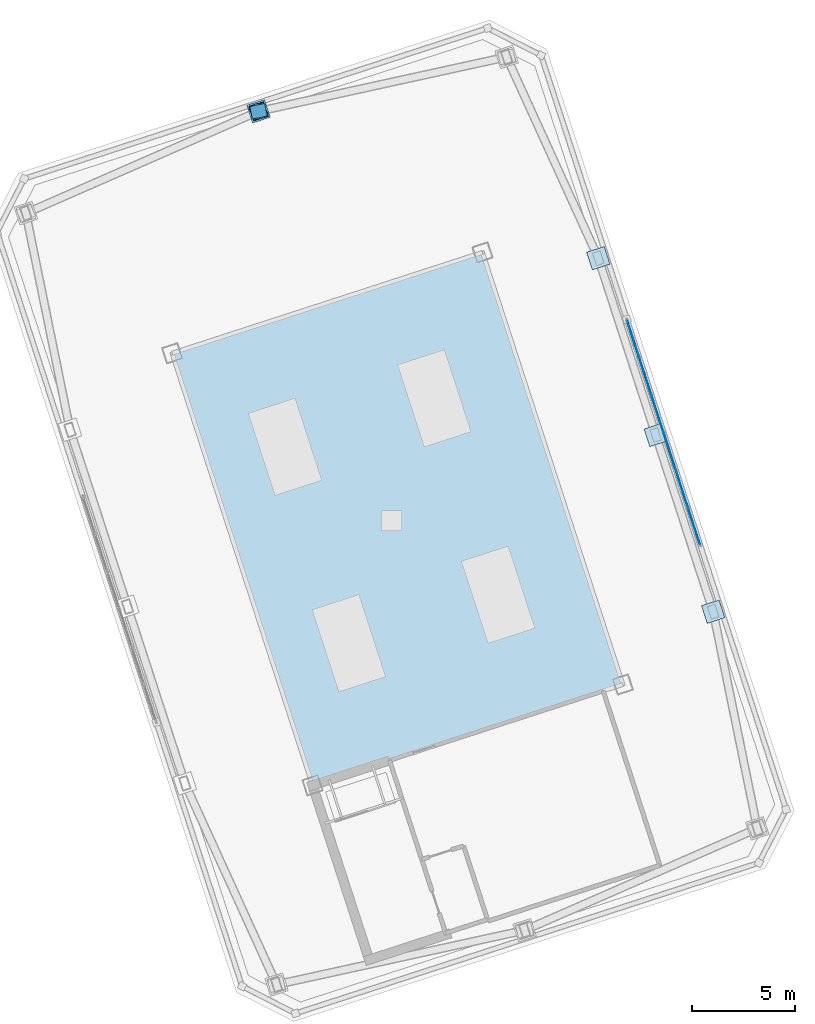
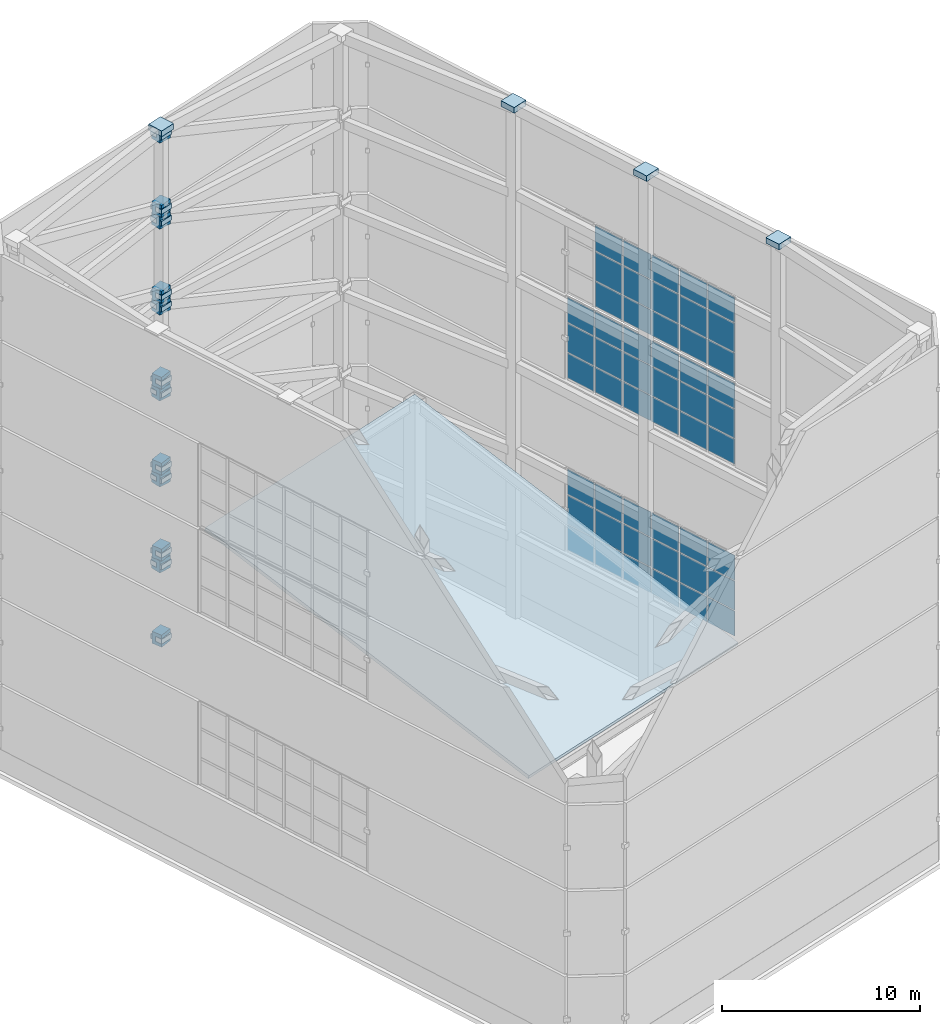
# One storey, part 46 of 56: 79 plates, 1 slab, 3 elements without a shape of their own.
"""IFC4 building model written with IfcOpenShell, lengths in metres."""

from ifc_helpers import new_model, si_unit, direction, frame, origin, origin_2d, place, context, subcontext, project, spatial, polyline, rectangle, outline, extrude, material, layer, layer_set, type_object, element, aggregate, save


model = new_model("IFC4")

# Units and contexts
model_context = context("Model", 3, precision=1e-05, world=origin(), true_north=direction((0.0, 1.0)))
body_context = subcontext(model_context, "Body", "Model", "MODEL_VIEW")
ifc_project = project(units=[si_unit("LENGTHUNIT", "METRE"), si_unit("AREAUNIT", "SQUARE_METRE"), si_unit("VOLUMEUNIT", "CUBIC_METRE"), si_unit("PLANEANGLEUNIT", "RADIAN"), si_unit("MASSUNIT", "GRAM", prefix="KILO")], contexts=[model_context])

# Site, building, storey
site_placement = place(None, origin())
site = spatial("IfcSite", under=ifc_project, at=site_placement, CompositionType="ELEMENT")
building_placement = place(site_placement, origin())
building = spatial("IfcBuilding", under=site, at=building_placement, Name="Qiaolan Cultural Towers", CompositionType="ELEMENT")
storey_placement = place(building_placement, frame((0.0, 0.0, 250.39990234375)))
storey = spatial("IfcBuildingStorey", under=building, at=storey_placement, Name="L68", CompositionType="ELEMENT", Elevation=250.39990234375)

# Curtain wall, plates
ifc_material_1 = material(Name="Unitized Anodized Aluminium Curtain Wall System", Category="aluminium")
ifc_layer_1 = layer(ifc_material_1, 0.199951171875)
ifc_layer_set_1 = layer_set([ifc_layer_1], Name="Unitized Anodized Aluminium Curtain Wall System")
curtain_wall_type = type_object("IfcCurtainWallType", Name="CWS-06", PredefinedType="NOTDEFINED", material=ifc_layer_set_1)
curtain_wall_1_placement = place(storey_placement, origin())
curtain_wall_1 = element("IfcCurtainWall", 1, at=curtain_wall_1_placement, inside=storey, type_object=curtain_wall_type, Name="T2 Crown Tier 2 Fritted Screen Curtain Wall 3", PredefinedType="NOTDEFINED")
ifc_material_2 = material(Name="Laminated Low-E Insulating Glass Unit", Category="glass")
ifc_layer_2 = layer(ifc_material_2, 0.035888671875)
ifc_layer_set_2 = layer_set([ifc_layer_2], Name="Laminated Low-E Insulating Glass Unit")
plate_type_1 = type_object("IfcPlateType", Name="CWS-06-PNL", PredefinedType="CURTAIN_PANEL", material=ifc_layer_set_2)
plate_1_placement = place(storey_placement, frame((104.649658203125, 33.732666015625, 5.46533203125), z_axis=(0.0, 0.0, 1.0), x_axis=(-0.309016935232, 0.951056535512, 0.0)))
plate_1 = element("IfcPlate", 2, at=plate_1_placement, type_object=plate_type_1, Name="CW-6 panel 1.1", PredefinedType="CURTAIN_PANEL", context=body_context, shape_type="SweptSolid", body=[
    extrude(rectangle(XDim=1.8076171875, YDim=0.035888671875, at=origin_2d()), origin(), (0.0, 0.0, 1.0), 1.532470703125),
])
plate_2_placement = place(storey_placement, frame((104.649658203125, 33.732666015625, 7.062744140625), z_axis=(0.0, 0.0, 1.0), x_axis=(-0.309016935232, 0.951056535512, 0.0)))
plate_2 = element("IfcPlate", 3, at=plate_2_placement, type_object=plate_type_1, Name="CW-6 panel 1.2", PredefinedType="CURTAIN_PANEL", context=body_context, shape_type="SweptSolid", body=[
    extrude(rectangle(XDim=1.8076171875, YDim=0.035888671875, at=origin_2d()), origin(), (0.0, 0.0, 1.0), 1.77490234375),
])
plate_3_placement = place(storey_placement, frame((104.649658203125, 33.732666015625, 8.90283203125), z_axis=(0.0, 0.0, 1.0), x_axis=(-0.309016935232, 0.951056535512, 0.0)))
plate_3 = element("IfcPlate", 4, at=plate_3_placement, type_object=plate_type_1, Name="CW-6 panel 1.3", PredefinedType="CURTAIN_PANEL", context=body_context, shape_type="SweptSolid", body=[
    extrude(rectangle(XDim=1.8076171875, YDim=0.035888671875, at=origin_2d()), origin(), (0.0, 0.0, 1.0), 1.532470703125),
])
plate_4_placement = place(storey_placement, frame((104.06201171875, 35.540771484375, 5.46533203125), z_axis=(0.0, 0.0, 1.0), x_axis=(-0.309016935232, 0.951056535512, 0.0)))
plate_4 = element("IfcPlate", 5, at=plate_4_placement, type_object=plate_type_1, Name="CW-6 panel 2.1", PredefinedType="CURTAIN_PANEL", context=body_context, shape_type="SweptSolid", body=[
    extrude(rectangle(XDim=1.844970703125, YDim=0.035888671875, at=origin_2d()), origin(), (0.0, 0.0, 1.0), 1.532470703125),
])
plate_5_placement = place(storey_placement, frame((104.06201171875, 35.540771484375, 7.062744140625), z_axis=(0.0, 0.0, 1.0), x_axis=(-0.309016935232, 0.951056535512, 0.0)))
plate_5 = element("IfcPlate", 6, at=plate_5_placement, type_object=plate_type_1, Name="CW-6 panel 2.2", PredefinedType="CURTAIN_PANEL", context=body_context, shape_type="SweptSolid", body=[
    extrude(rectangle(XDim=1.844970703125, YDim=0.035888671875, at=origin_2d()), origin(), (0.0, 0.0, 1.0), 1.77490234375),
])
plate_6_placement = place(storey_placement, frame((104.06201171875, 35.540771484375, 8.90283203125), z_axis=(0.0, 0.0, 1.0), x_axis=(-0.309016935232, 0.951056535512, 0.0)))
plate_6 = element("IfcPlate", 7, at=plate_6_placement, type_object=plate_type_1, Name="CW-6 panel 2.3", PredefinedType="CURTAIN_PANEL", context=body_context, shape_type="SweptSolid", body=[
    extrude(rectangle(XDim=1.844970703125, YDim=0.035888671875, at=origin_2d()), origin(), (0.0, 0.0, 1.0), 1.532470703125),
])
plate_7_placement = place(storey_placement, frame((103.46875, 37.366943359375, 5.46533203125), z_axis=(0.0, 0.0, 1.0), x_axis=(-0.309016935232, 0.951056535512, 0.0)))
plate_7 = element("IfcPlate", 8, at=plate_7_placement, type_object=plate_type_1, Name="CW-6 panel 3.1", PredefinedType="CURTAIN_PANEL", context=body_context, shape_type="SweptSolid", body=[
    extrude(rectangle(XDim=1.844970703125, YDim=0.035888671875, at=origin_2d()), origin(), (0.0, 0.0, 1.0), 1.532470703125),
])
plate_8_placement = place(storey_placement, frame((103.46875, 37.366943359375, 7.062744140625), z_axis=(0.0, 0.0, 1.0), x_axis=(-0.309016935232, 0.951056535512, 0.0)))
plate_8 = element("IfcPlate", 9, at=plate_8_placement, type_object=plate_type_1, Name="CW-6 panel 3.2", PredefinedType="CURTAIN_PANEL", context=body_context, shape_type="SweptSolid", body=[
    extrude(rectangle(XDim=1.844970703125, YDim=0.035888671875, at=origin_2d()), origin(), (0.0, 0.0, 1.0), 1.77490234375),
])
plate_9_placement = place(storey_placement, frame((103.46875, 37.366943359375, 8.90283203125), z_axis=(0.0, 0.0, 1.0), x_axis=(-0.309016935232, 0.951056535512, 0.0)))
plate_9 = element("IfcPlate", 10, at=plate_9_placement, type_object=plate_type_1, Name="CW-6 panel 3.3", PredefinedType="CURTAIN_PANEL", context=body_context, shape_type="SweptSolid", body=[
    extrude(rectangle(XDim=1.844970703125, YDim=0.035888671875, at=origin_2d()), origin(), (0.0, 0.0, 1.0), 1.532470703125),
])
plate_10_placement = place(storey_placement, frame((102.87548828125, 39.19287109375, 5.46533203125), z_axis=(0.0, 0.0, 1.0), x_axis=(-0.309016935232, 0.951056535512, 0.0)))
plate_10 = element("IfcPlate", 11, at=plate_10_placement, type_object=plate_type_1, Name="CW-6 panel 4.1", PredefinedType="CURTAIN_PANEL", context=body_context, shape_type="SweptSolid", body=[
    extrude(rectangle(XDim=1.844970703125, YDim=0.035888671875, at=origin_2d()), origin(), (0.0, 0.0, 1.0), 1.532470703125),
])
plate_11_placement = place(storey_placement, frame((102.87548828125, 39.19287109375, 7.062744140625), z_axis=(0.0, 0.0, 1.0), x_axis=(-0.309016935232, 0.951056535512, 0.0)))
plate_11 = element("IfcPlate", 12, at=plate_11_placement, type_object=plate_type_1, Name="CW-6 panel 4.2", PredefinedType="CURTAIN_PANEL", context=body_context, shape_type="SweptSolid", body=[
    extrude(rectangle(XDim=1.844970703125, YDim=0.035888671875, at=origin_2d()), origin(), (0.0, 0.0, 1.0), 1.77490234375),
])
plate_12_placement = place(storey_placement, frame((102.87548828125, 39.19287109375, 8.90283203125), z_axis=(0.0, 0.0, 1.0), x_axis=(-0.309016935232, 0.951056535512, 0.0)))
plate_12 = element("IfcPlate", 13, at=plate_12_placement, type_object=plate_type_1, Name="CW-6 panel 4.3", PredefinedType="CURTAIN_PANEL", context=body_context, shape_type="SweptSolid", body=[
    extrude(rectangle(XDim=1.844970703125, YDim=0.035888671875, at=origin_2d()), origin(), (0.0, 0.0, 1.0), 1.532470703125),
])
plate_13_placement = place(storey_placement, frame((102.2822265625, 41.01904296875, 5.46533203125), z_axis=(0.0, 0.0, 1.0), x_axis=(-0.309016935232, 0.951056535512, 0.0)))
plate_13 = element("IfcPlate", 14, at=plate_13_placement, type_object=plate_type_1, Name="CW-6 panel 5.1", PredefinedType="CURTAIN_PANEL", context=body_context, shape_type="SweptSolid", body=[
    extrude(rectangle(XDim=1.844970703125, YDim=0.035888671875, at=origin_2d()), origin(), (0.0, 0.0, 1.0), 1.532470703125),
])
plate_14_placement = place(storey_placement, frame((102.2822265625, 41.01904296875, 7.062744140625), z_axis=(0.0, 0.0, 1.0), x_axis=(-0.309016935232, 0.951056535512, 0.0)))
plate_14 = element("IfcPlate", 15, at=plate_14_placement, type_object=plate_type_1, Name="CW-6 panel 5.2", PredefinedType="CURTAIN_PANEL", context=body_context, shape_type="SweptSolid", body=[
    extrude(rectangle(XDim=1.844970703125, YDim=0.035888671875, at=origin_2d()), origin(), (0.0, 0.0, 1.0), 1.77490234375),
])
plate_15_placement = place(storey_placement, frame((102.2822265625, 41.01904296875, 8.90283203125), z_axis=(0.0, 0.0, 1.0), x_axis=(-0.309016935232, 0.951056535512, 0.0)))
plate_15 = element("IfcPlate", 16, at=plate_15_placement, type_object=plate_type_1, Name="CW-6 panel 5.3", PredefinedType="CURTAIN_PANEL", context=body_context, shape_type="SweptSolid", body=[
    extrude(rectangle(XDim=1.844970703125, YDim=0.035888671875, at=origin_2d()), origin(), (0.0, 0.0, 1.0), 1.532470703125),
])
plate_16_placement = place(storey_placement, frame((101.694580078125, 42.8271484375, 5.46533203125), z_axis=(0.0, 0.0, 1.0), x_axis=(-0.309016935232, 0.951056535512, 0.0)))
plate_16 = element("IfcPlate", 17, at=plate_16_placement, type_object=plate_type_1, Name="CW-6 panel 6.1", PredefinedType="CURTAIN_PANEL", context=body_context, shape_type="SweptSolid", body=[
    extrude(rectangle(XDim=1.8076171875, YDim=0.035888671875, at=origin_2d()), origin(), (0.0, 0.0, 1.0), 1.532470703125),
])
plate_17_placement = place(storey_placement, frame((101.694580078125, 42.8271484375, 7.062744140625), z_axis=(0.0, 0.0, 1.0), x_axis=(-0.309016935232, 0.951056535512, 0.0)))
plate_17 = element("IfcPlate", 18, at=plate_17_placement, type_object=plate_type_1, Name="CW-6 panel 6.2", PredefinedType="CURTAIN_PANEL", context=body_context, shape_type="SweptSolid", body=[
    extrude(rectangle(XDim=1.8076171875, YDim=0.035888671875, at=origin_2d()), origin(), (0.0, 0.0, 1.0), 1.77490234375),
])
plate_18_placement = place(storey_placement, frame((101.694580078125, 42.8271484375, 8.90283203125), z_axis=(0.0, 0.0, 1.0), x_axis=(-0.309016935232, 0.951056535512, 0.0)))
plate_18 = element("IfcPlate", 19, at=plate_18_placement, type_object=plate_type_1, Name="CW-6 panel 6.3", PredefinedType="CURTAIN_PANEL", context=body_context, shape_type="SweptSolid", body=[
    extrude(rectangle(XDim=1.8076171875, YDim=0.035888671875, at=origin_2d()), origin(), (0.0, 0.0, 1.0), 1.532470703125),
])
aggregate(curtain_wall_1, [plate_1, plate_2, plate_3, plate_4, plate_5, plate_6, plate_7, plate_8, plate_9, plate_10, plate_11, plate_12, plate_13, plate_14, plate_15, plate_16, plate_17, plate_18])

curtain_wall_2_placement = place(storey_placement, origin())
curtain_wall_2 = element("IfcCurtainWall", 20, at=curtain_wall_2_placement, inside=storey, type_object=curtain_wall_type, Name="T2 Crown Tier 4 Fritted Screen Curtain Wall 3", PredefinedType="NOTDEFINED")
plate_19_placement = place(storey_placement, frame((104.649658203125, 33.732666015625, 16.06494140625), z_axis=(0.0, 0.0, 1.0), x_axis=(-0.309016935232, 0.951056535512, 0.0)))
plate_19 = element("IfcPlate", 21, at=plate_19_placement, type_object=plate_type_1, Name="CW-6 panel 1.1", PredefinedType="CURTAIN_PANEL", context=body_context, shape_type="SweptSolid", body=[
    extrude(rectangle(XDim=1.8076171875, YDim=0.035888671875, at=origin_2d()), origin(), (0.0, 0.0, 1.0), 1.532470703125),
])
plate_20_placement = place(storey_placement, frame((104.649658203125, 33.732666015625, 17.66259765625), z_axis=(0.0, 0.0, 1.0), x_axis=(-0.309016935232, 0.951056535512, 0.0)))
plate_20 = element("IfcPlate", 22, at=plate_20_placement, type_object=plate_type_1, Name="CW-6 panel 1.2", PredefinedType="CURTAIN_PANEL", context=body_context, shape_type="SweptSolid", body=[
    extrude(rectangle(XDim=1.8076171875, YDim=0.035888671875, at=origin_2d()), origin(), (0.0, 0.0, 1.0), 1.77490234375),
])
plate_21_placement = place(storey_placement, frame((104.649658203125, 33.732666015625, 19.50244140625), z_axis=(0.0, 0.0, 1.0), x_axis=(-0.309016935232, 0.951056535512, 0.0)))
plate_21 = element("IfcPlate", 23, at=plate_21_placement, type_object=plate_type_1, Name="CW-6 panel 1.3", PredefinedType="CURTAIN_PANEL", context=body_context, shape_type="SweptSolid", body=[
    extrude(rectangle(XDim=1.8076171875, YDim=0.035888671875, at=origin_2d()), origin(), (0.0, 0.0, 1.0), 1.532470703125),
])
plate_22_placement = place(storey_placement, frame((104.06201171875, 35.540771484375, 16.06494140625), z_axis=(0.0, 0.0, 1.0), x_axis=(-0.309016935232, 0.951056535512, 0.0)))
plate_22 = element("IfcPlate", 24, at=plate_22_placement, type_object=plate_type_1, Name="CW-6 panel 2.1", PredefinedType="CURTAIN_PANEL", context=body_context, shape_type="SweptSolid", body=[
    extrude(rectangle(XDim=1.844970703125, YDim=0.035888671875, at=origin_2d()), origin(), (0.0, 0.0, 1.0), 1.532470703125),
])
plate_23_placement = place(storey_placement, frame((104.06201171875, 35.540771484375, 17.66259765625), z_axis=(0.0, 0.0, 1.0), x_axis=(-0.309016935232, 0.951056535512, 0.0)))
plate_23 = element("IfcPlate", 25, at=plate_23_placement, type_object=plate_type_1, Name="CW-6 panel 2.2", PredefinedType="CURTAIN_PANEL", context=body_context, shape_type="SweptSolid", body=[
    extrude(rectangle(XDim=1.844970703125, YDim=0.035888671875, at=origin_2d()), origin(), (0.0, 0.0, 1.0), 1.77490234375),
])
plate_24_placement = place(storey_placement, frame((104.06201171875, 35.540771484375, 19.50244140625), z_axis=(0.0, 0.0, 1.0), x_axis=(-0.309016935232, 0.951056535512, 0.0)))
plate_24 = element("IfcPlate", 26, at=plate_24_placement, type_object=plate_type_1, Name="CW-6 panel 2.3", PredefinedType="CURTAIN_PANEL", context=body_context, shape_type="SweptSolid", body=[
    extrude(rectangle(XDim=1.844970703125, YDim=0.035888671875, at=origin_2d()), origin(), (0.0, 0.0, 1.0), 1.532470703125),
])
plate_25_placement = place(storey_placement, frame((103.46875, 37.366943359375, 16.06494140625), z_axis=(0.0, 0.0, 1.0), x_axis=(-0.309016935232, 0.951056535512, 0.0)))
plate_25 = element("IfcPlate", 27, at=plate_25_placement, type_object=plate_type_1, Name="CW-6 panel 3.1", PredefinedType="CURTAIN_PANEL", context=body_context, shape_type="SweptSolid", body=[
    extrude(rectangle(XDim=1.844970703125, YDim=0.035888671875, at=origin_2d()), origin(), (0.0, 0.0, 1.0), 1.532470703125),
])
plate_26_placement = place(storey_placement, frame((103.46875, 37.366943359375, 17.66259765625), z_axis=(0.0, 0.0, 1.0), x_axis=(-0.309016935232, 0.951056535512, 0.0)))
plate_26 = element("IfcPlate", 28, at=plate_26_placement, type_object=plate_type_1, Name="CW-6 panel 3.2", PredefinedType="CURTAIN_PANEL", context=body_context, shape_type="SweptSolid", body=[
    extrude(rectangle(XDim=1.844970703125, YDim=0.035888671875, at=origin_2d()), origin(), (0.0, 0.0, 1.0), 1.77490234375),
])
plate_27_placement = place(storey_placement, frame((103.46875, 37.366943359375, 19.50244140625), z_axis=(0.0, 0.0, 1.0), x_axis=(-0.309016935232, 0.951056535512, 0.0)))
plate_27 = element("IfcPlate", 29, at=plate_27_placement, type_object=plate_type_1, Name="CW-6 panel 3.3", PredefinedType="CURTAIN_PANEL", context=body_context, shape_type="SweptSolid", body=[
    extrude(rectangle(XDim=1.844970703125, YDim=0.035888671875, at=origin_2d()), origin(), (0.0, 0.0, 1.0), 1.532470703125),
])
plate_28_placement = place(storey_placement, frame((102.87548828125, 39.19287109375, 16.06494140625), z_axis=(0.0, 0.0, 1.0), x_axis=(-0.309016935232, 0.951056535512, 0.0)))
plate_28 = element("IfcPlate", 30, at=plate_28_placement, type_object=plate_type_1, Name="CW-6 panel 4.1", PredefinedType="CURTAIN_PANEL", context=body_context, shape_type="SweptSolid", body=[
    extrude(rectangle(XDim=1.844970703125, YDim=0.035888671875, at=origin_2d()), origin(), (0.0, 0.0, 1.0), 1.532470703125),
])
plate_29_placement = place(storey_placement, frame((102.87548828125, 39.19287109375, 17.66259765625), z_axis=(0.0, 0.0, 1.0), x_axis=(-0.309016935232, 0.951056535512, 0.0)))
plate_29 = element("IfcPlate", 31, at=plate_29_placement, type_object=plate_type_1, Name="CW-6 panel 4.2", PredefinedType="CURTAIN_PANEL", context=body_context, shape_type="SweptSolid", body=[
    extrude(rectangle(XDim=1.844970703125, YDim=0.035888671875, at=origin_2d()), origin(), (0.0, 0.0, 1.0), 1.77490234375),
])
plate_30_placement = place(storey_placement, frame((102.87548828125, 39.19287109375, 19.50244140625), z_axis=(0.0, 0.0, 1.0), x_axis=(-0.309016935232, 0.951056535512, 0.0)))
plate_30 = element("IfcPlate", 32, at=plate_30_placement, type_object=plate_type_1, Name="CW-6 panel 4.3", PredefinedType="CURTAIN_PANEL", context=body_context, shape_type="SweptSolid", body=[
    extrude(rectangle(XDim=1.844970703125, YDim=0.035888671875, at=origin_2d()), origin(), (0.0, 0.0, 1.0), 1.532470703125),
])
plate_31_placement = place(storey_placement, frame((102.2822265625, 41.01904296875, 16.06494140625), z_axis=(0.0, 0.0, 1.0), x_axis=(-0.309016935232, 0.951056535512, 0.0)))
plate_31 = element("IfcPlate", 33, at=plate_31_placement, type_object=plate_type_1, Name="CW-6 panel 5.1", PredefinedType="CURTAIN_PANEL", context=body_context, shape_type="SweptSolid", body=[
    extrude(rectangle(XDim=1.844970703125, YDim=0.035888671875, at=origin_2d()), origin(), (0.0, 0.0, 1.0), 1.532470703125),
])
plate_32_placement = place(storey_placement, frame((102.2822265625, 41.01904296875, 17.66259765625), z_axis=(0.0, 0.0, 1.0), x_axis=(-0.309016935232, 0.951056535512, 0.0)))
plate_32 = element("IfcPlate", 34, at=plate_32_placement, type_object=plate_type_1, Name="CW-6 panel 5.2", PredefinedType="CURTAIN_PANEL", context=body_context, shape_type="SweptSolid", body=[
    extrude(rectangle(XDim=1.844970703125, YDim=0.035888671875, at=origin_2d()), origin(), (0.0, 0.0, 1.0), 1.77490234375),
])
plate_33_placement = place(storey_placement, frame((102.2822265625, 41.01904296875, 19.50244140625), z_axis=(0.0, 0.0, 1.0), x_axis=(-0.309016935232, 0.951056535512, 0.0)))
plate_33 = element("IfcPlate", 35, at=plate_33_placement, type_object=plate_type_1, Name="CW-6 panel 5.3", PredefinedType="CURTAIN_PANEL", context=body_context, shape_type="SweptSolid", body=[
    extrude(rectangle(XDim=1.844970703125, YDim=0.035888671875, at=origin_2d()), origin(), (0.0, 0.0, 1.0), 1.532470703125),
])
plate_34_placement = place(storey_placement, frame((101.694580078125, 42.8271484375, 16.06494140625), z_axis=(0.0, 0.0, 1.0), x_axis=(-0.309016935232, 0.951056535512, 0.0)))
plate_34 = element("IfcPlate", 36, at=plate_34_placement, type_object=plate_type_1, Name="CW-6 panel 6.1", PredefinedType="CURTAIN_PANEL", context=body_context, shape_type="SweptSolid", body=[
    extrude(rectangle(XDim=1.8076171875, YDim=0.035888671875, at=origin_2d()), origin(), (0.0, 0.0, 1.0), 1.532470703125),
])
plate_35_placement = place(storey_placement, frame((101.694580078125, 42.8271484375, 17.66259765625), z_axis=(0.0, 0.0, 1.0), x_axis=(-0.309016935232, 0.951056535512, 0.0)))
plate_35 = element("IfcPlate", 37, at=plate_35_placement, type_object=plate_type_1, Name="CW-6 panel 6.2", PredefinedType="CURTAIN_PANEL", context=body_context, shape_type="SweptSolid", body=[
    extrude(rectangle(XDim=1.8076171875, YDim=0.035888671875, at=origin_2d()), origin(), (0.0, 0.0, 1.0), 1.77490234375),
])
plate_36_placement = place(storey_placement, frame((101.694580078125, 42.8271484375, 19.50244140625), z_axis=(0.0, 0.0, 1.0), x_axis=(-0.309016935232, 0.951056535512, 0.0)))
plate_36 = element("IfcPlate", 38, at=plate_36_placement, type_object=plate_type_1, Name="CW-6 panel 6.3", PredefinedType="CURTAIN_PANEL", context=body_context, shape_type="SweptSolid", body=[
    extrude(rectangle(XDim=1.8076171875, YDim=0.035888671875, at=origin_2d()), origin(), (0.0, 0.0, 1.0), 1.532470703125),
])
aggregate(curtain_wall_2, [plate_19, plate_20, plate_21, plate_22, plate_23, plate_24, plate_25, plate_26, plate_27, plate_28, plate_29, plate_30, plate_31, plate_32, plate_33, plate_34, plate_35, plate_36])

curtain_wall_3_placement = place(storey_placement, origin())
curtain_wall_3 = element("IfcCurtainWall", 39, at=curtain_wall_3_placement, inside=storey, type_object=curtain_wall_type, Name="T2 Crown Tier 5 Fritted Screen Curtain Wall 3", PredefinedType="NOTDEFINED")
plate_37_placement = place(storey_placement, frame((104.649658203125, 33.732666015625, 21.365234375), z_axis=(0.0, 0.0, 1.0), x_axis=(-0.309016935232, 0.951056535512, 0.0)))
plate_37 = element("IfcPlate", 40, at=plate_37_placement, type_object=plate_type_1, Name="CW-6 panel 1.1", PredefinedType="CURTAIN_PANEL", context=body_context, shape_type="SweptSolid", body=[
    extrude(rectangle(XDim=1.8076171875, YDim=0.035888671875, at=origin_2d()), origin(), (0.0, 0.0, 1.0), 1.532470703125),
])
plate_38_placement = place(storey_placement, frame((104.649658203125, 33.732666015625, 22.962646484375), z_axis=(0.0, 0.0, 1.0), x_axis=(-0.309016935232, 0.951056535512, 0.0)))
plate_38 = element("IfcPlate", 41, at=plate_38_placement, type_object=plate_type_1, Name="CW-6 panel 1.2", PredefinedType="CURTAIN_PANEL", context=body_context, shape_type="SweptSolid", body=[
    extrude(rectangle(XDim=1.8076171875, YDim=0.035888671875, at=origin_2d()), origin(), (0.0, 0.0, 1.0), 1.77490234375),
])
plate_39_placement = place(storey_placement, frame((104.649658203125, 33.732666015625, 24.802734375), z_axis=(0.0, 0.0, 1.0), x_axis=(-0.309016935232, 0.951056535512, 0.0)))
plate_39 = element("IfcPlate", 42, at=plate_39_placement, type_object=plate_type_1, Name="CW-6 panel 1.3", PredefinedType="CURTAIN_PANEL", context=body_context, shape_type="SweptSolid", body=[
    extrude(rectangle(XDim=1.8076171875, YDim=0.035888671875, at=origin_2d()), origin(), (0.0, 0.0, 1.0), 1.532470703125),
])
plate_40_placement = place(storey_placement, frame((104.06201171875, 35.540771484375, 21.365234375), z_axis=(0.0, 0.0, 1.0), x_axis=(-0.309016935232, 0.951056535512, 0.0)))
plate_40 = element("IfcPlate", 43, at=plate_40_placement, type_object=plate_type_1, Name="CW-6 panel 2.1", PredefinedType="CURTAIN_PANEL", context=body_context, shape_type="SweptSolid", body=[
    extrude(rectangle(XDim=1.844970703125, YDim=0.035888671875, at=origin_2d()), origin(), (0.0, 0.0, 1.0), 1.532470703125),
])
plate_41_placement = place(storey_placement, frame((104.06201171875, 35.540771484375, 22.962646484375), z_axis=(0.0, 0.0, 1.0), x_axis=(-0.309016935232, 0.951056535512, 0.0)))
plate_41 = element("IfcPlate", 44, at=plate_41_placement, type_object=plate_type_1, Name="CW-6 panel 2.2", PredefinedType="CURTAIN_PANEL", context=body_context, shape_type="SweptSolid", body=[
    extrude(rectangle(XDim=1.844970703125, YDim=0.035888671875, at=origin_2d()), origin(), (0.0, 0.0, 1.0), 1.77490234375),
])
plate_42_placement = place(storey_placement, frame((104.06201171875, 35.540771484375, 24.802734375), z_axis=(0.0, 0.0, 1.0), x_axis=(-0.309016935232, 0.951056535512, 0.0)))
plate_42 = element("IfcPlate", 45, at=plate_42_placement, type_object=plate_type_1, Name="CW-6 panel 2.3", PredefinedType="CURTAIN_PANEL", context=body_context, shape_type="SweptSolid", body=[
    extrude(rectangle(XDim=1.844970703125, YDim=0.035888671875, at=origin_2d()), origin(), (0.0, 0.0, 1.0), 1.532470703125),
])
plate_43_placement = place(storey_placement, frame((103.46875, 37.366943359375, 21.365234375), z_axis=(0.0, 0.0, 1.0), x_axis=(-0.309016935232, 0.951056535512, 0.0)))
plate_43 = element("IfcPlate", 46, at=plate_43_placement, type_object=plate_type_1, Name="CW-6 panel 3.1", PredefinedType="CURTAIN_PANEL", context=body_context, shape_type="SweptSolid", body=[
    extrude(rectangle(XDim=1.844970703125, YDim=0.035888671875, at=origin_2d()), origin(), (0.0, 0.0, 1.0), 1.532470703125),
])
plate_44_placement = place(storey_placement, frame((103.46875, 37.366943359375, 22.962646484375), z_axis=(0.0, 0.0, 1.0), x_axis=(-0.309016935232, 0.951056535512, 0.0)))
plate_44 = element("IfcPlate", 47, at=plate_44_placement, type_object=plate_type_1, Name="CW-6 panel 3.2", PredefinedType="CURTAIN_PANEL", context=body_context, shape_type="SweptSolid", body=[
    extrude(rectangle(XDim=1.844970703125, YDim=0.035888671875, at=origin_2d()), origin(), (0.0, 0.0, 1.0), 1.77490234375),
])
plate_45_placement = place(storey_placement, frame((103.46875, 37.366943359375, 24.802734375), z_axis=(0.0, 0.0, 1.0), x_axis=(-0.309016935232, 0.951056535512, 0.0)))
plate_45 = element("IfcPlate", 48, at=plate_45_placement, type_object=plate_type_1, Name="CW-6 panel 3.3", PredefinedType="CURTAIN_PANEL", context=body_context, shape_type="SweptSolid", body=[
    extrude(rectangle(XDim=1.844970703125, YDim=0.035888671875, at=origin_2d()), origin(), (0.0, 0.0, 1.0), 1.532470703125),
])
plate_46_placement = place(storey_placement, frame((102.87548828125, 39.19287109375, 21.365234375), z_axis=(0.0, 0.0, 1.0), x_axis=(-0.309016935232, 0.951056535512, 0.0)))
plate_46 = element("IfcPlate", 49, at=plate_46_placement, type_object=plate_type_1, Name="CW-6 panel 4.1", PredefinedType="CURTAIN_PANEL", context=body_context, shape_type="SweptSolid", body=[
    extrude(rectangle(XDim=1.844970703125, YDim=0.035888671875, at=origin_2d()), origin(), (0.0, 0.0, 1.0), 1.532470703125),
])
plate_47_placement = place(storey_placement, frame((102.87548828125, 39.19287109375, 22.962646484375), z_axis=(0.0, 0.0, 1.0), x_axis=(-0.309016935232, 0.951056535512, 0.0)))
plate_47 = element("IfcPlate", 50, at=plate_47_placement, type_object=plate_type_1, Name="CW-6 panel 4.2", PredefinedType="CURTAIN_PANEL", context=body_context, shape_type="SweptSolid", body=[
    extrude(rectangle(XDim=1.844970703125, YDim=0.035888671875, at=origin_2d()), origin(), (0.0, 0.0, 1.0), 1.77490234375),
])
plate_48_placement = place(storey_placement, frame((102.87548828125, 39.19287109375, 24.802734375), z_axis=(0.0, 0.0, 1.0), x_axis=(-0.309016935232, 0.951056535512, 0.0)))
plate_48 = element("IfcPlate", 51, at=plate_48_placement, type_object=plate_type_1, Name="CW-6 panel 4.3", PredefinedType="CURTAIN_PANEL", context=body_context, shape_type="SweptSolid", body=[
    extrude(rectangle(XDim=1.844970703125, YDim=0.035888671875, at=origin_2d()), origin(), (0.0, 0.0, 1.0), 1.532470703125),
])
plate_49_placement = place(storey_placement, frame((102.2822265625, 41.01904296875, 21.365234375), z_axis=(0.0, 0.0, 1.0), x_axis=(-0.309016935232, 0.951056535512, 0.0)))
plate_49 = element("IfcPlate", 52, at=plate_49_placement, type_object=plate_type_1, Name="CW-6 panel 5.1", PredefinedType="CURTAIN_PANEL", context=body_context, shape_type="SweptSolid", body=[
    extrude(rectangle(XDim=1.844970703125, YDim=0.035888671875, at=origin_2d()), origin(), (0.0, 0.0, 1.0), 1.532470703125),
])
plate_50_placement = place(storey_placement, frame((102.2822265625, 41.01904296875, 22.962646484375), z_axis=(0.0, 0.0, 1.0), x_axis=(-0.309016935232, 0.951056535512, 0.0)))
plate_50 = element("IfcPlate", 53, at=plate_50_placement, type_object=plate_type_1, Name="CW-6 panel 5.2", PredefinedType="CURTAIN_PANEL", context=body_context, shape_type="SweptSolid", body=[
    extrude(rectangle(XDim=1.844970703125, YDim=0.035888671875, at=origin_2d()), origin(), (0.0, 0.0, 1.0), 1.77490234375),
])
plate_51_placement = place(storey_placement, frame((102.2822265625, 41.01904296875, 24.802734375), z_axis=(0.0, 0.0, 1.0), x_axis=(-0.309016935232, 0.951056535512, 0.0)))
plate_51 = element("IfcPlate", 54, at=plate_51_placement, type_object=plate_type_1, Name="CW-6 panel 5.3", PredefinedType="CURTAIN_PANEL", context=body_context, shape_type="SweptSolid", body=[
    extrude(rectangle(XDim=1.844970703125, YDim=0.035888671875, at=origin_2d()), origin(), (0.0, 0.0, 1.0), 1.532470703125),
])
aggregate(curtain_wall_3, [plate_37, plate_38, plate_39, plate_40, plate_41, plate_42, plate_43, plate_44, plate_45, plate_46, plate_47, plate_48, plate_49, plate_50, plate_51])

# Plates
ifc_material_3 = material(Name="Steel Q355B", Category="steel")
ifc_layer_3 = layer(ifc_material_3, 0.035888671875)
ifc_layer_set_3 = layer_set([ifc_layer_3], Name="Steel Q355B")
plate_type_2 = type_object("IfcPlateType", Name="PL-CONN-36", PredefinedType="USERDEFINED", material=ifc_layer_set_3)
for number, where, z_axis, x_axis, name in (
    (55, (83.556884765625, 53.82958984375, 4.455078125), (0.0, 0.0, 1.0), (0.976843236391, 0.213956284125, 0.0), "L68 Brace End Connection Gusset Plate GP-02-0895"),
    (56, (83.556884765625, 53.82958984375, -0.1201171875), (0.0, 0.0, 1.0), (0.916043134525, 0.401079762254, 0.0), "L68 Brace End Connection Gusset Plate GP-02-0896"),
    (57, (83.556884765625, 53.82958984375, 9.7548828125), (0.0, 0.0, 1.0), (0.976843236391, 0.213956284125, 0.0), "L68 Brace End Connection Gusset Plate GP-02-0903"),
    (58, (83.556884765625, 53.82958984375, 5.18017578125), (0.0, 0.0, 1.0), (0.916043134525, 0.401079762254, 0.0), "L68 Brace End Connection Gusset Plate GP-02-0904"),
    (59, (83.556884765625, 53.82958984375, 15.05517578125), (0.0, 0.0, 1.0), (0.976843236391, 0.213956284125, 0.0), "L68 Brace End Connection Gusset Plate GP-02-0911"),
    (60, (83.556884765625, 53.82958984375, 10.47998046875), (0.0, 0.0, 1.0), (0.916043134525, 0.401079762254, 0.0), "L68 Brace End Connection Gusset Plate GP-02-0912"),
    (61, (83.556884765625, 53.82958984375, 20.35498046875), (0.0, 0.0, 1.0), (0.976843236391, 0.213956284125, 0.0), "L68 Brace End Connection Gusset Plate GP-02-0919"),
    (62, (83.556884765625, 53.82958984375, 15.7802734375), (0.0, 0.0, 1.0), (0.916043134525, 0.401079762254, 0.0), "L68 Brace End Connection Gusset Plate GP-02-0920"),
    (63, (83.556884765625, 53.82958984375, 25.6552734375), (0.0, 0.0, 1.0), (0.976843236391, 0.213956284125, 0.0), "L68 Brace End Connection Gusset Plate GP-02-0927"),
    (64, (83.556884765625, 53.82958984375, 21.080078125), (0.0, 0.0, 1.0), (0.916043134525, 0.401079762254, 0.0), "L68 Brace End Connection Gusset Plate GP-02-0928"),
    (65, (83.556884765625, 53.82958984375, 30.955078125), (0.0, 0.0, 1.0), (0.976843236391, 0.213956284125, 0.0), "L68 Brace End Connection Gusset Plate GP-02-0935"),
    (66, (83.556884765625, 53.82958984375, 26.3798828125), (0.0, 0.0, 1.0), (0.916043134525, 0.401079762254, 0.0), "L68 Brace End Connection Gusset Plate GP-02-0936"),
):
    element("IfcPlate", number, at=place(storey_placement, frame(where, z_axis=z_axis, x_axis=x_axis)), inside=storey, type_object=plate_type_2, Name=name, ObjectType="GUSSET_PLATE", PredefinedType="USERDEFINED", context=body_context, shape_type="SweptSolid", body=[
        extrude(rectangle(XDim=0.739990234375, YDim=0.6201171875, at=origin_2d()), origin(), (0.0, 0.0, 1.0), 0.739990234375),
    ])
ifc_material_4 = material(Name="Steel Q355B", Category="steel")
ifc_layer_4 = layer(ifc_material_4, 0.030029296875)
ifc_layer_set_4 = layer_set([ifc_layer_4], Name="Steel Q355B")
plate_type_3 = type_object("IfcPlateType", Name="PL-ENDCAP-30", PredefinedType="USERDEFINED", material=ifc_layer_set_4)
for number, where, z_axis, x_axis, name in (
    (67, (83.556884765625, 53.82958984375, 4.67529296875), (0.0, 0.0, 1.0), (0.951056516295, 0.309016994375, 0.0), "Crown Brace End Seal Plate CP-01"),
    (68, (83.556884765625, 53.82958984375, 0.10009765625), (0.0, 0.0, 1.0), (0.951056516295, 0.309016994375, 0.0), "Crown Brace End Seal Plate CP-01"),
    (69, (83.556884765625, 53.82958984375, 9.97509765625), (0.0, 0.0, 1.0), (0.951056516295, 0.309016994375, 0.0), "Crown Brace End Seal Plate CP-01"),
    (70, (83.556884765625, 53.82958984375, 5.39990234375), (0.0, 0.0, 1.0), (0.951056516295, 0.309016994375, 0.0), "Crown Brace End Seal Plate CP-01"),
    (71, (83.556884765625, 53.82958984375, 15.27490234375), (0.0, 0.0, 1.0), (0.951056516295, 0.309016994375, 0.0), "Crown Brace End Seal Plate CP-01"),
    (72, (83.556884765625, 53.82958984375, 10.7001953125), (0.0, 0.0, 1.0), (0.951056516295, 0.309016994375, 0.0), "Crown Brace End Seal Plate CP-01"),
    (73, (83.556884765625, 53.82958984375, 20.5751953125), (0.0, 0.0, 1.0), (0.951056516295, 0.309016994375, 0.0), "Crown Brace End Seal Plate CP-01"),
    (74, (83.556884765625, 53.82958984375, 16.0), (0.0, 0.0, 1.0), (0.951056516295, 0.309016994375, 0.0), "Crown Brace End Seal Plate CP-01"),
    (75, (83.556884765625, 53.82958984375, 25.875), (0.0, 0.0, 1.0), (0.951056516295, 0.309016994375, 0.0), "Crown Brace End Seal Plate CP-01"),
    (76, (83.556884765625, 53.82958984375, 21.30029296875), (0.0, 0.0, 1.0), (0.951056516295, 0.309016994375, 0.0), "Crown Brace End Seal Plate CP-01"),
    (77, (83.556884765625, 53.82958984375, 31.17529296875), (0.0, 0.0, 1.0), (0.951056516295, 0.309016994375, 0.0), "Crown Brace End Seal Plate CP-01"),
    (78, (83.556884765625, 53.82958984375, 26.60009765625), (0.0, 0.0, 1.0), (0.951056516295, 0.309016994375, 0.0), "Crown Brace End Seal Plate CP-01"),
):
    element("IfcPlate", number, at=place(storey_placement, frame(where, z_axis=z_axis, x_axis=x_axis)), inside=storey, type_object=plate_type_3, Name=name, ObjectType="BASE_PLATE", PredefinedType="USERDEFINED", context=body_context, shape_type="SweptSolid", body=[
        extrude(rectangle(XDim=0.75, YDim=0.75, at=origin_2d()), origin(), (0.0, 0.0, 1.0), 0.300048828125),
    ])
for number, where, z_axis, x_axis, name in (
    (79, (105.57275390625, 29.5966796875, 31.47509765625), (0.0, 0.0, 1.0), (0.951056516295, 0.309016994375, 0.0), "Crown Top Cap Corner Seal Plate CP-01"),
    (80, (102.791748046875, 38.15625, 31.47509765625), (0.0, 0.0, 1.0), (0.951056516295, 0.309016994375, 0.0), "Crown Top Cap Corner Seal Plate CP-01"),
    (81, (100.010498046875, 46.7158203125, 31.47509765625), (0.0, 0.0, 1.0), (0.951056516295, 0.309016994375, 0.0), "Crown Top Cap Corner Seal Plate CP-01"),
    (82, (83.556884765625, 53.82958984375, 31.47509765625), (0.0, 0.0, 1.0), (0.951056516295, 0.309016994375, 0.0), "Crown Top Cap Corner Seal Plate CP-01"),
):
    element("IfcPlate", number, at=place(storey_placement, frame(where, z_axis=z_axis, x_axis=x_axis)), inside=storey, type_object=plate_type_3, Name=name, ObjectType="BASE_PLATE", PredefinedType="USERDEFINED", context=body_context, shape_type="SweptSolid", body=[
        extrude(rectangle(XDim=0.89990234375, YDim=0.89990234375, at=origin_2d()), origin(), (0.0, 0.0, 1.0), 0.35009765625),
    ])

# Slab
ifc_material_5 = material(Name="Concrete C45", Category="concrete")
ifc_layer_5 = layer(ifc_material_5, 0.219970703125)
ifc_layer_set_5 = layer_set([ifc_layer_5], Name="Concrete C45")
slab_type = type_object("IfcSlabType", Name="SL-CRN-SLOPE-220", PredefinedType="ROOF", material=ifc_layer_set_5)
slab_placement = place(storey_placement, frame((86.171142578125, 21.18994140625, 10.5), z_axis=(0.068484845044, -0.210774494469, 0.975132779923), x_axis=(0.95105859537, 0.309010595563, -1.587955e-06)))
element("IfcSlab", 83, at=slab_placement, inside=storey, type_object=slab_type, Name="T2 Crown Sloped Plant Enclosure Roof Slab", PredefinedType="ROOF", context=body_context, shape_type="SweptSolid", body=[
    extrude(outline(polyline([(0.0, 0.0), (15.799877777466044, 0.0), (15.799784001323046, 22.561107571188057), (-0.00016921818293126723, 22.560881153092176), (0.0, 0.0)])), origin(), (0.0, 0.0, -1.0), 0.219970703125),
])

save(model, "model.ifc")
